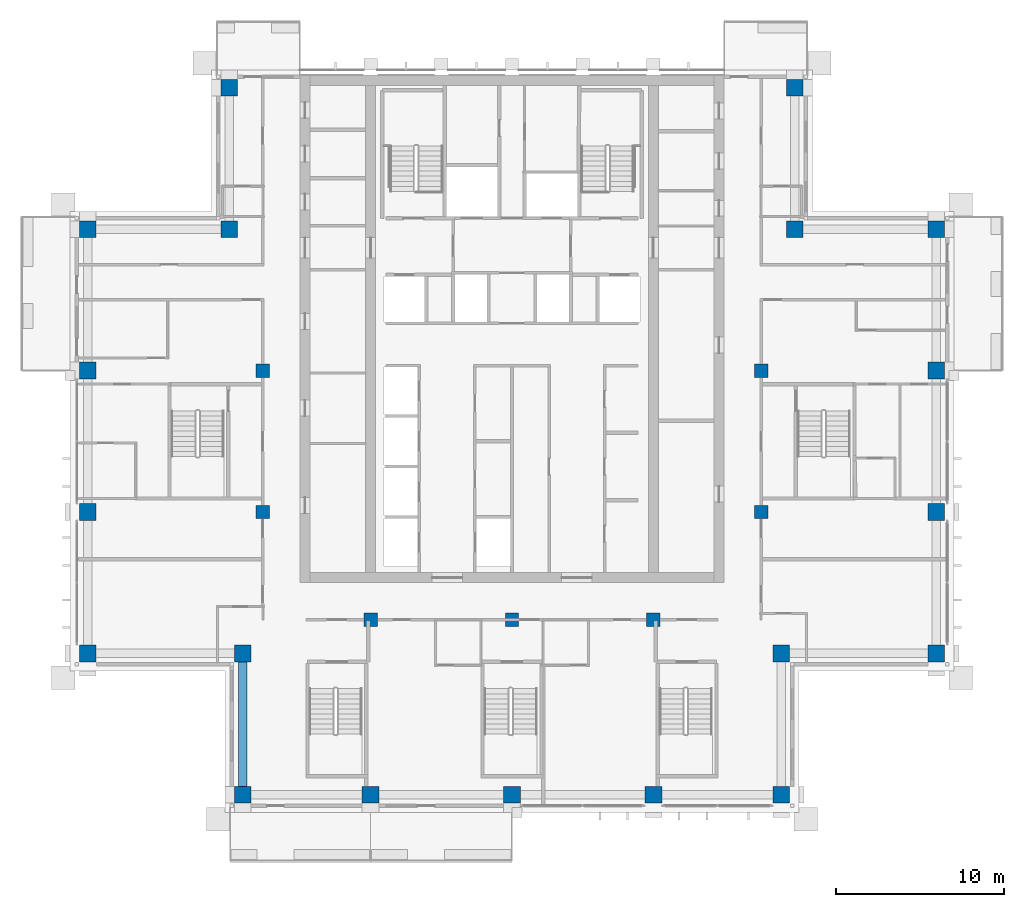
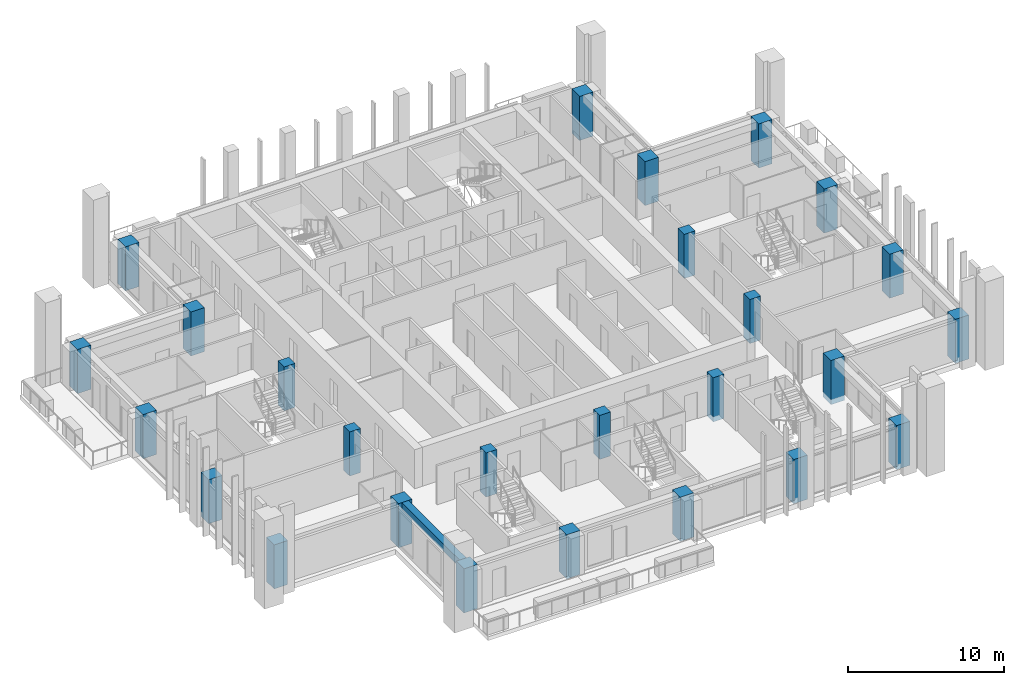
# One storey, part 1 of 16: 26 columns, 1 beam.
"""IFC4 building model written with IfcOpenShell, lengths in metres."""

import ifcopenshell
import ifcopenshell.guid

model = None  # the IFC model being written
_history = None  # IfcOwnerHistory: only IFC2X3 demands one
_inside = {}  # id of a spatial element -> (the spatial element, [elements in it])
_under = {}  # id of a project, library or spatial element -> (it, [spatial elements below it])
_declared = {}  # id of a project -> (the project, [libraries it declares])
_typed = {}  # id of a type object -> (the type object, [elements of that type])
_made_of = {}  # id of a material, layer set ... -> (it, [elements and type objects made of it])


def new_model(schema):
    """Start an empty IFC model of exactly this schema.

    Asked for "IFC4X3", IfcOpenShell would pick the latest addendum, in which some entities
    have other attributes; the version numbers below select the first issue.
    IFC2X3 requires an IfcOwnerHistory on every rooted entity: one is made here for all.
    """
    global model, _history
    if schema == "IFC4X3":
        model = ifcopenshell.file(schema_version=(4, 3, 0, 0))
    else:
        model = ifcopenshell.file(schema=schema)
    _inside.clear()
    _under.clear()
    _declared.clear()
    _typed.clear()
    _made_of.clear()
    _history = None
    if model.schema == "IFC2X3":
        org = make("IfcOrganization", Name="unknown")
        user = make(
            "IfcPersonAndOrganization",
            ThePerson=make("IfcPerson", FamilyName="unknown"),
            TheOrganization=org,
        )
        app = make(
            "IfcApplication",
            ApplicationDeveloper=org,
            Version="unknown",
            ApplicationFullName="unknown",
            ApplicationIdentifier="unknown",
        )
        _history = make(
            "IfcOwnerHistory",
            OwningUser=user,
            OwningApplication=app,
            ChangeAction="ADDED",
            CreationDate=0,
        )
    return model


def make(cls, **values):
    """One entity of the class cls with the attributes given. An attribute that is None is left unset."""
    return model.create_entity(
        cls, **{name: value for name, value in values.items() if value is not None}
    )


def rooted(cls, **values):
    """An entity with a GlobalId (a new one), such as an element, a storey or a relation."""
    return make(cls, GlobalId=ifcopenshell.guid.new(), OwnerHistory=_history, **values)


def si_unit(unit_type, name, prefix=None):
    """IfcSIUnit, for example si_unit("LENGTHUNIT", "METRE", prefix="MILLI")."""
    return make("IfcSIUnit", UnitType=unit_type, Prefix=prefix, Name=name)


def assignment(units):
    """IfcUnitAssignment: the units of a project."""
    return None if units is None else make("IfcUnitAssignment", Units=units)


def point(xyz):
    """IfcCartesianPoint."""
    return None if xyz is None else make("IfcCartesianPoint", Coordinates=xyz)


def direction(xyz):
    """IfcDirection."""
    return None if xyz is None else make("IfcDirection", DirectionRatios=xyz)


def frame(location, z_axis=None, x_axis=None):
    """IfcAxis2Placement3D, a coordinate frame: its origin and axes. An axis left out is left unset."""
    return make(
        "IfcAxis2Placement3D",
        Location=point(location),
        Axis=direction(z_axis),
        RefDirection=direction(x_axis),
    )


def frame_2d(location, x_axis=None):
    """IfcAxis2Placement2D, a coordinate frame in the plane: its origin and x axis."""
    return make(
        "IfcAxis2Placement2D", Location=point(location), RefDirection=direction(x_axis)
    )


def origin():
    """The frame at (0, 0, 0) with its axes left unset."""
    return frame((0.0, 0.0, 0.0))


def origin_2d():
    """The frame at (0, 0) in the plane with its x axis left unset."""
    return frame_2d((0.0, 0.0))


def place(relative_to, where):
    """IfcLocalPlacement: puts the frame where relative to a parent placement (None: the world)."""
    return make(
        "IfcLocalPlacement", PlacementRelTo=relative_to, RelativePlacement=where
    )


def context(
    kind, dimensions, precision=None, world=None, true_north=None, identifier=None
):
    """IfcGeometricRepresentationContext, for example the 3D "Model" context."""
    return make(
        "IfcGeometricRepresentationContext",
        ContextIdentifier=identifier,
        ContextType=kind,
        CoordinateSpaceDimension=dimensions,
        Precision=precision,
        WorldCoordinateSystem=world,
        TrueNorth=true_north,
    )


def subcontext(parent, identifier, kind, view, scale=None):
    """IfcGeometricRepresentationSubContext, for example "Body" below "Model"."""
    return make(
        "IfcGeometricRepresentationSubContext",
        ContextIdentifier=identifier,
        ContextType=kind,
        ParentContext=parent,
        TargetScale=scale,
        TargetView=view,
    )


def project(units=None, contexts=None):
    """IfcProject with its units and contexts."""
    return rooted(
        "IfcProject",
        Name="project",
        RepresentationContexts=contexts,
        UnitsInContext=assignment(units),
    )


def spatial(cls, under=None, at=None, **own):
    """A site, building, storey or space (cls), placed at a placement, below another one or the project."""
    s = rooted(cls, ObjectPlacement=at, **own)
    if under is not None:
        _under.setdefault(under.id(), (under, []))[1].append(s)
    return s


def profile(cls, at=None, kind="AREA", **sizes):
    """A parametric profile (cls). Its sizes go by their IFC names, for example OverallWidth=200.0."""
    return make(cls, ProfileType=kind, Position=at, **sizes)


def rectangle(**sizes):
    """IfcRectangleProfileDef."""
    return profile("IfcRectangleProfileDef", **sizes)


def extrude(swept, where, along, depth):
    """IfcExtrudedAreaSolid: the profile swept, set in the frame where, extruded along a direction by depth."""
    return make(
        "IfcExtrudedAreaSolid",
        SweptArea=swept,
        Position=where,
        ExtrudedDirection=direction(along),
        Depth=depth,
    )


def shape(context_of_items, identifier, shape_type, items):
    """IfcShapeRepresentation: the items that make up one representation, for example the "Body"."""
    return make(
        "IfcShapeRepresentation",
        ContextOfItems=context_of_items,
        RepresentationIdentifier=identifier,
        RepresentationType=shape_type,
        Items=items,
    )


def material(Name=None, Category=None):
    """IfcMaterial."""
    return make("IfcMaterial", Name=Name, Category=Category)


def material_profile(
    of_material, cross_section, Name=None, Category=None, Priority=None
):
    """IfcMaterialProfile: a cross section and its material."""
    return make(
        "IfcMaterialProfile",
        Name=Name,
        Material=of_material,
        Profile=cross_section,
        Priority=Priority,
        Category=Category,
    )


def profile_set(profiles, Name=None, composite=None):
    """IfcMaterialProfileSet."""
    return make(
        "IfcMaterialProfileSet",
        Name=Name,
        MaterialProfiles=profiles,
        CompositeProfile=composite,
    )


def made_of(thing, what):
    """Note that an element or type object is made of a material, layer set ...; save() writes the relation."""
    if what is not None:
        _made_of.setdefault(what.id(), (what, []))[1].append(thing)
    return thing


def type_object(cls, material=None, **own):
    """A type object (cls), such as IfcWallType, which elements share."""
    return made_of(rooted(cls, **own), material)


def element(
    cls,
    number,
    at=None,
    inside=None,
    cuts=None,
    type_object=None,
    material=None,
    context=None,
    identifier="Body",
    shape_type=None,
    held_by="IfcProductDefinitionShape",
    body=None,
    shapes=None,
    **own,
):
    """One element of the class cls, such as IfcWall. Its Tag is "e" and its number.

    at: its placement. inside: the storey or other place that contains it. cuts: it is an
    opening in that element (IfcRelVoidsElement). A single representation is given by context,
    identifier, shape_type and body (its items); several are given by shapes. held_by: the class
    of the entity that holds the representations. save() writes the other relations.
    """
    e = rooted(cls, Tag="e%d" % number, ObjectPlacement=at, **own)
    if body is not None:
        shapes = [shape(context, identifier, shape_type, body)]
    if shapes is not None:
        e.Representation = make(held_by, Representations=shapes)
    if inside is not None:
        _inside.setdefault(inside.id(), (inside, []))[1].append(e)
    if cuts is not None:
        rooted(
            "IfcRelVoidsElement", RelatingBuildingElement=cuts, RelatedOpeningElement=e
        )
    if type_object is not None:
        _typed.setdefault(type_object.id(), (type_object, []))[1].append(e)
    return made_of(e, material)


def aggregate(whole, parts):
    """IfcRelAggregates: a whole, such as a stair, and the parts it consists of."""
    return rooted("IfcRelAggregates", RelatingObject=whole, RelatedObjects=parts)


def save(model, path):
    """Write the relations noted so far, then the file.

    IfcRelAggregates (storeys below a building ...), IfcRelContainedInSpatialStructure (elements
    in a storey), IfcRelDefinesByType, IfcRelAssociatesMaterial and IfcRelDeclares: one each for
    every whole, place, type object, material and project.
    """
    for whole, parts in _under.values():
        aggregate(whole, parts)
    for where, things in _inside.values():
        rooted(
            "IfcRelContainedInSpatialStructure",
            RelatedElements=things,
            RelatingStructure=where,
        )
    for kind, things in _typed.values():
        rooted("IfcRelDefinesByType", RelatedObjects=things, RelatingType=kind)
    for what, things in _made_of.values():
        rooted("IfcRelAssociatesMaterial", RelatedObjects=things, RelatingMaterial=what)
    for by, libraries in _declared.values():
        rooted("IfcRelDeclares", RelatingContext=by, RelatedDefinitions=libraries)
    model.write(path)


model = new_model("IFC4")

# Units and contexts
model_context = context("Model", 3, precision=1e-05, world=origin(), true_north=direction((0.0, 1.0)))
body_context = subcontext(model_context, "Body", "Model", "MODEL_VIEW")
ifc_project = project(units=[si_unit("LENGTHUNIT", "METRE"), si_unit("AREAUNIT", "SQUARE_METRE"), si_unit("VOLUMEUNIT", "CUBIC_METRE"), si_unit("PLANEANGLEUNIT", "RADIAN"), si_unit("MASSUNIT", "GRAM", prefix="KILO")], contexts=[model_context])

# Site, building, storey
site_placement = place(None, origin())
site = spatial("IfcSite", under=ifc_project, at=site_placement, CompositionType="ELEMENT")
building_placement = place(site_placement, origin())
building = spatial("IfcBuilding", under=site, at=building_placement, Name="Vermilion Ogive Tower", CompositionType="ELEMENT")
storey_placement = place(building_placement, frame((0.0, 0.0, 206.60009765625)))
storey = spatial("IfcBuildingStorey", under=building, at=storey_placement, Name="L54", CompositionType="ELEMENT", Elevation=206.60009765625)

# Columns
ifc_material_1 = material(Name="Concrete B60", Category="concrete")
ifc_material_profile_1 = material_profile(ifc_material_1, rectangle(XDim=1.0, YDim=1.0, at=origin_2d()), Name="1000 x 1000")
ifc_profile_set_1 = profile_set([ifc_material_profile_1], Name="Concrete B60")
column_type_1 = type_object("IfcColumnType", Name="Perimeter column 1000 x 1000 B60", PredefinedType="COLUMN", material=ifc_profile_set_1)
for number, where, z_axis, x_axis, name in (
    (1, (-16.0, -21.0, -0.400146484375), (0.0, 0.0, 1.0), (1.0, 0.0, 0.0), "COL-L54-P-0160-210"),
    (2, (-8.39990234375, -21.0, -0.400146484375), (0.0, 0.0, 1.0), (1.0, 0.0, 0.0), "COL-L54-P-0084-210"),
    (3, (0.0, -21.0, -0.400146484375), (0.0, 0.0, 1.0), (1.0, 0.0, 0.0), "COL-L54-P+0000-210"),
    (4, (8.39990234375, -21.0, -0.400146484375), (0.0, 0.0, 1.0), (1.0, 0.0, 0.0), "COL-L54-P+0084-210"),
    (5, (16.0, -21.0, -0.400146484375), (0.0, 0.0, 1.0), (1.0, 0.0, 0.0), "COL-L54-P+0160-210"),
    (6, (-25.199951171875, -12.60009765625, -0.400146484375), (0.0, 0.0, 1.0), (1.0, 0.0, 0.0), "COL-L54-P-0252-126"),
    (7, (-16.0, -12.60009765625, -0.400146484375), (0.0, 0.0, 1.0), (1.0, 0.0, 0.0), "COL-L54-P-0160-126"),
    (8, (16.0, -12.60009765625, -0.400146484375), (0.0, 0.0, 1.0), (1.0, 0.0, 0.0), "COL-L54-P+0160-126"),
    (9, (25.199951171875, -12.60009765625, -0.400146484375), (0.0, 0.0, 1.0), (1.0, 0.0, 0.0), "COL-L54-P+0252-126"),
    (10, (-25.199951171875, -4.199951171875, -0.400146484375), (0.0, 0.0, 1.0), (1.0, 0.0, 0.0), "COL-L54-P-0252-042"),
    (11, (25.199951171875, -4.199951171875, -0.400146484375), (0.0, 0.0, 1.0), (1.0, 0.0, 0.0), "COL-L54-P+0252-042"),
    (12, (-25.199951171875, 4.199951171875, -0.400146484375), (0.0, 0.0, 1.0), (1.0, 0.0, 0.0), "COL-L54-P-0252+042"),
    (13, (25.199951171875, 4.199951171875, -0.400146484375), (0.0, 0.0, 1.0), (1.0, 0.0, 0.0), "COL-L54-P+0252+042"),
    (14, (-25.199951171875, 12.60009765625, -0.400146484375), (0.0, 0.0, 1.0), (1.0, 0.0, 0.0), "COL-L54-P-0252+126"),
    (15, (-16.800048828125, 12.60009765625, -0.400146484375), (0.0, 0.0, 1.0), (1.0, 0.0, 0.0), "COL-L54-P-0168+126"),
    (16, (16.800048828125, 12.60009765625, -0.400146484375), (0.0, 0.0, 1.0), (1.0, 0.0, 0.0), "COL-L54-P+0168+126"),
    (17, (25.199951171875, 12.60009765625, -0.400146484375), (0.0, 0.0, 1.0), (1.0, 0.0, 0.0), "COL-L54-P+0252+126"),
    (18, (-16.800048828125, 21.0, -0.400146484375), (0.0, 0.0, 1.0), (1.0, 0.0, 0.0), "COL-L54-P-0168+210"),
    (19, (16.800048828125, 21.0, -0.400146484375), (0.0, 0.0, 1.0), (1.0, 0.0, 0.0), "COL-L54-P+0168+210"),
):
    element("IfcColumn", number, at=place(storey_placement, frame(where, z_axis=z_axis, x_axis=x_axis)), inside=storey, type_object=column_type_1, Name=name, PredefinedType="COLUMN", context=body_context, shape_type="SweptSolid", body=[
        extrude(rectangle(XDim=1.0, YDim=1.0, at=origin_2d()), origin(), (0.0, 0.0, 1.0), 3.449951171875),
    ])
ifc_material_2 = material(Name="Concrete B60", Category="concrete")
ifc_material_profile_2 = material_profile(ifc_material_2, rectangle(XDim=0.800048828125, YDim=0.800048828125, at=origin_2d()), Name="800 x 800")
ifc_profile_set_2 = profile_set([ifc_material_profile_2], Name="Concrete B60")
column_type_2 = type_object("IfcColumnType", Name="Ring column 800 x 800 B60", PredefinedType="COLUMN", material=ifc_profile_set_2)
for number, where, z_axis, x_axis, name in (
    (20, (-8.39990234375, -10.60009765625, -0.400146484375), (0.0, 0.0, 1.0), (1.0, 0.0, 0.0), "COL-L54-R-0084-106"),
    (21, (0.0, -10.60009765625, -0.400146484375), (0.0, 0.0, 1.0), (1.0, 0.0, 0.0), "COL-L54-R+0000-106"),
    (22, (8.39990234375, -10.60009765625, -0.400146484375), (0.0, 0.0, 1.0), (1.0, 0.0, 0.0), "COL-L54-R+0084-106"),
    (23, (-14.800048828125, -4.199951171875, -0.400146484375), (0.0, 0.0, 1.0), (1.0, 0.0, 0.0), "COL-L54-R-0148-042"),
    (24, (14.800048828125, -4.199951171875, -0.400146484375), (0.0, 0.0, 1.0), (1.0, 0.0, 0.0), "COL-L54-R+0148-042"),
    (25, (-14.800048828125, 4.199951171875, -0.400146484375), (0.0, 0.0, 1.0), (1.0, 0.0, 0.0), "COL-L54-R-0148+042"),
    (26, (14.800048828125, 4.199951171875, -0.400146484375), (0.0, 0.0, 1.0), (1.0, 0.0, 0.0), "COL-L54-R+0148+042"),
):
    element("IfcColumn", number, at=place(storey_placement, frame(where, z_axis=z_axis, x_axis=x_axis)), inside=storey, type_object=column_type_2, Name=name, PredefinedType="COLUMN", context=body_context, shape_type="SweptSolid", body=[
        extrude(rectangle(XDim=0.800048828125, YDim=0.800048828125, at=origin_2d()), origin(), (0.0, 0.0, 1.0), 3.449951171875),
    ])

# Beam
ifc_material_3 = material(Name="Concrete B45", Category="concrete")
ifc_material_profile_3 = material_profile(ifc_material_3, rectangle(XDim=0.5, YDim=0.550048828125, at=origin_2d()), Name="500 x 550")
ifc_profile_set_3 = profile_set([ifc_material_profile_3], Name="Concrete B45")
beam_type = type_object("IfcBeamType", Name="Edge beam 500 x 550 B45", PredefinedType="BEAM", material=ifc_profile_set_3)
beam_placement = place(storey_placement, frame((-16.0, -13.10009765625, 2.77490234375), z_axis=(0.0, -1.0, 0.0), x_axis=(1.0, 0.0, 0.0)))
element("IfcBeam", 27, at=beam_placement, inside=storey, type_object=beam_type, Name="L54-EB-18", PredefinedType="BEAM", context=body_context, shape_type="SweptSolid", body=[
    extrude(rectangle(XDim=0.5, YDim=0.550048828125, at=origin_2d()), origin(), (0.0, 0.0, 1.0), 7.39990234375),
])

save(model, "model.ifc")
